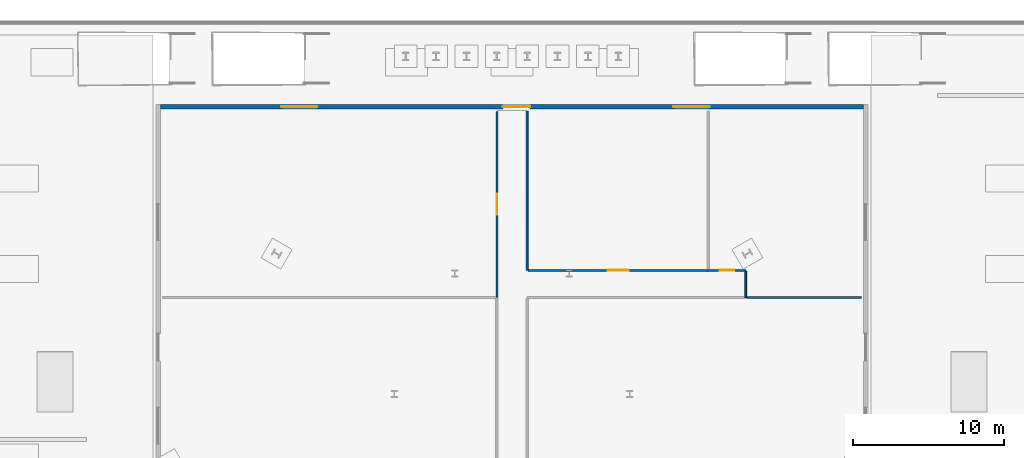
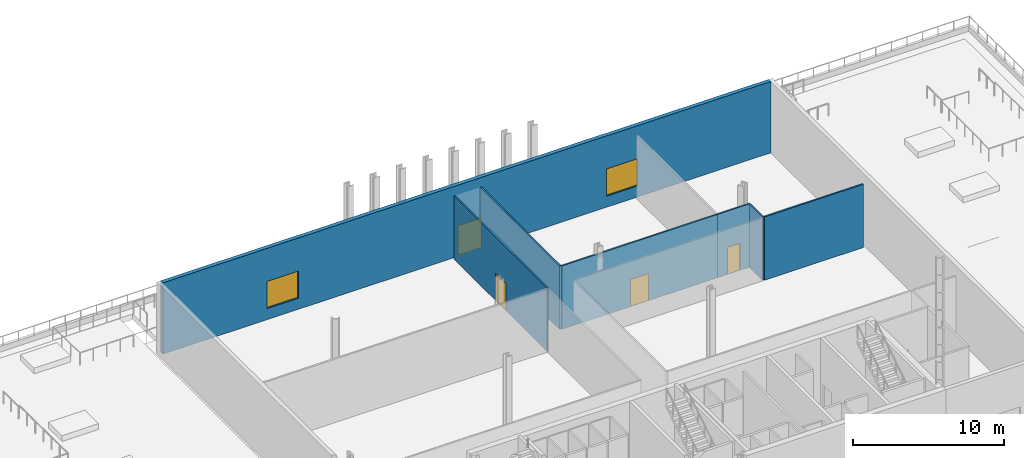
# One storey, part 6 of 13: 7 walls, 4 doors, 2 windows, 6 openings.
"""IFC4 building model written with IfcOpenShell, lengths in metres."""

import ifcopenshell
import ifcopenshell.guid

model = None  # the IFC model being written
_history = None  # IfcOwnerHistory: only IFC2X3 demands one
_inside = {}  # id of a spatial element -> (the spatial element, [elements in it])
_under = {}  # id of a project, library or spatial element -> (it, [spatial elements below it])
_declared = {}  # id of a project -> (the project, [libraries it declares])
_typed = {}  # id of a type object -> (the type object, [elements of that type])
_made_of = {}  # id of a material, layer set ... -> (it, [elements and type objects made of it])


def new_model(schema):
    """Start an empty IFC model of exactly this schema.

    Asked for "IFC4X3", IfcOpenShell would pick the latest addendum, in which some entities
    have other attributes; the version numbers below select the first issue.
    IFC2X3 requires an IfcOwnerHistory on every rooted entity: one is made here for all.
    """
    global model, _history
    if schema == "IFC4X3":
        model = ifcopenshell.file(schema_version=(4, 3, 0, 0))
    else:
        model = ifcopenshell.file(schema=schema)
    _inside.clear()
    _under.clear()
    _declared.clear()
    _typed.clear()
    _made_of.clear()
    _history = None
    if model.schema == "IFC2X3":
        org = make("IfcOrganization", Name="unknown")
        user = make(
            "IfcPersonAndOrganization",
            ThePerson=make("IfcPerson", FamilyName="unknown"),
            TheOrganization=org,
        )
        app = make(
            "IfcApplication",
            ApplicationDeveloper=org,
            Version="unknown",
            ApplicationFullName="unknown",
            ApplicationIdentifier="unknown",
        )
        _history = make(
            "IfcOwnerHistory",
            OwningUser=user,
            OwningApplication=app,
            ChangeAction="ADDED",
            CreationDate=0,
        )
    return model


def make(cls, **values):
    """One entity of the class cls with the attributes given. An attribute that is None is left unset."""
    return model.create_entity(
        cls, **{name: value for name, value in values.items() if value is not None}
    )


def rooted(cls, **values):
    """An entity with a GlobalId (a new one), such as an element, a storey or a relation."""
    return make(cls, GlobalId=ifcopenshell.guid.new(), OwnerHistory=_history, **values)


def si_unit(unit_type, name, prefix=None):
    """IfcSIUnit, for example si_unit("LENGTHUNIT", "METRE", prefix="MILLI")."""
    return make("IfcSIUnit", UnitType=unit_type, Prefix=prefix, Name=name)


def assignment(units):
    """IfcUnitAssignment: the units of a project."""
    return None if units is None else make("IfcUnitAssignment", Units=units)


def point(xyz):
    """IfcCartesianPoint."""
    return None if xyz is None else make("IfcCartesianPoint", Coordinates=xyz)


def direction(xyz):
    """IfcDirection."""
    return None if xyz is None else make("IfcDirection", DirectionRatios=xyz)


def frame(location, z_axis=None, x_axis=None):
    """IfcAxis2Placement3D, a coordinate frame: its origin and axes. An axis left out is left unset."""
    return make(
        "IfcAxis2Placement3D",
        Location=point(location),
        Axis=direction(z_axis),
        RefDirection=direction(x_axis),
    )


def frame_2d(location, x_axis=None):
    """IfcAxis2Placement2D, a coordinate frame in the plane: its origin and x axis."""
    return make(
        "IfcAxis2Placement2D", Location=point(location), RefDirection=direction(x_axis)
    )


def origin():
    """The frame at (0, 0, 0) with its axes left unset."""
    return frame((0.0, 0.0, 0.0))


def place(relative_to, where):
    """IfcLocalPlacement: puts the frame where relative to a parent placement (None: the world)."""
    return make(
        "IfcLocalPlacement", PlacementRelTo=relative_to, RelativePlacement=where
    )


def context(
    kind, dimensions, precision=None, world=None, true_north=None, identifier=None
):
    """IfcGeometricRepresentationContext, for example the 3D "Model" context."""
    return make(
        "IfcGeometricRepresentationContext",
        ContextIdentifier=identifier,
        ContextType=kind,
        CoordinateSpaceDimension=dimensions,
        Precision=precision,
        WorldCoordinateSystem=world,
        TrueNorth=true_north,
    )


def subcontext(parent, identifier, kind, view, scale=None):
    """IfcGeometricRepresentationSubContext, for example "Body" below "Model"."""
    return make(
        "IfcGeometricRepresentationSubContext",
        ContextIdentifier=identifier,
        ContextType=kind,
        ParentContext=parent,
        TargetScale=scale,
        TargetView=view,
    )


def project(units=None, contexts=None):
    """IfcProject with its units and contexts."""
    return rooted(
        "IfcProject",
        Name="project",
        RepresentationContexts=contexts,
        UnitsInContext=assignment(units),
    )


def spatial(cls, under=None, at=None, **own):
    """A site, building, storey or space (cls), placed at a placement, below another one or the project."""
    s = rooted(cls, ObjectPlacement=at, **own)
    if under is not None:
        _under.setdefault(under.id(), (under, []))[1].append(s)
    return s


def profile(cls, at=None, kind="AREA", **sizes):
    """A parametric profile (cls). Its sizes go by their IFC names, for example OverallWidth=200.0."""
    return make(cls, ProfileType=kind, Position=at, **sizes)


def rectangle(**sizes):
    """IfcRectangleProfileDef."""
    return profile("IfcRectangleProfileDef", **sizes)


def extrude(swept, where, along, depth):
    """IfcExtrudedAreaSolid: the profile swept, set in the frame where, extruded along a direction by depth."""
    return make(
        "IfcExtrudedAreaSolid",
        SweptArea=swept,
        Position=where,
        ExtrudedDirection=direction(along),
        Depth=depth,
    )


def shape(context_of_items, identifier, shape_type, items):
    """IfcShapeRepresentation: the items that make up one representation, for example the "Body"."""
    return make(
        "IfcShapeRepresentation",
        ContextOfItems=context_of_items,
        RepresentationIdentifier=identifier,
        RepresentationType=shape_type,
        Items=items,
    )


def material(Name=None, Category=None):
    """IfcMaterial."""
    return make("IfcMaterial", Name=Name, Category=Category)


def layer(
    of_material, thickness, ventilated=None, Name=None, Category=None, Priority=None
):
    """IfcMaterialLayer: one layer of a wall or slab, of a material (None: an air gap)."""
    return make(
        "IfcMaterialLayer",
        Material=of_material,
        LayerThickness=thickness,
        IsVentilated=ventilated,
        Name=Name,
        Category=Category,
        Priority=Priority,
    )


def layer_set(layers, Name=None):
    """IfcMaterialLayerSet."""
    return make("IfcMaterialLayerSet", MaterialLayers=layers, LayerSetName=Name)


def made_of(thing, what):
    """Note that an element or type object is made of a material, layer set ...; save() writes the relation."""
    if what is not None:
        _made_of.setdefault(what.id(), (what, []))[1].append(thing)
    return thing


def type_object(cls, material=None, **own):
    """A type object (cls), such as IfcWallType, which elements share."""
    return made_of(rooted(cls, **own), material)


def element(
    cls,
    number,
    at=None,
    inside=None,
    cuts=None,
    type_object=None,
    material=None,
    context=None,
    identifier="Body",
    shape_type=None,
    held_by="IfcProductDefinitionShape",
    body=None,
    shapes=None,
    **own,
):
    """One element of the class cls, such as IfcWall. Its Tag is "e" and its number.

    at: its placement. inside: the storey or other place that contains it. cuts: it is an
    opening in that element (IfcRelVoidsElement). A single representation is given by context,
    identifier, shape_type and body (its items); several are given by shapes. held_by: the class
    of the entity that holds the representations. save() writes the other relations.
    """
    e = rooted(cls, Tag="e%d" % number, ObjectPlacement=at, **own)
    if body is not None:
        shapes = [shape(context, identifier, shape_type, body)]
    if shapes is not None:
        e.Representation = make(held_by, Representations=shapes)
    if inside is not None:
        _inside.setdefault(inside.id(), (inside, []))[1].append(e)
    if cuts is not None:
        rooted(
            "IfcRelVoidsElement", RelatingBuildingElement=cuts, RelatedOpeningElement=e
        )
    if type_object is not None:
        _typed.setdefault(type_object.id(), (type_object, []))[1].append(e)
    return made_of(e, material)


def fill(opening, filler):
    """IfcRelFillsElement: the door or window that sits in an opening."""
    return rooted(
        "IfcRelFillsElement",
        RelatingOpeningElement=opening,
        RelatedBuildingElement=filler,
    )


def aggregate(whole, parts):
    """IfcRelAggregates: a whole, such as a stair, and the parts it consists of."""
    return rooted("IfcRelAggregates", RelatingObject=whole, RelatedObjects=parts)


def save(model, path):
    """Write the relations noted so far, then the file.

    IfcRelAggregates (storeys below a building ...), IfcRelContainedInSpatialStructure (elements
    in a storey), IfcRelDefinesByType, IfcRelAssociatesMaterial and IfcRelDeclares: one each for
    every whole, place, type object, material and project.
    """
    for whole, parts in _under.values():
        aggregate(whole, parts)
    for where, things in _inside.values():
        rooted(
            "IfcRelContainedInSpatialStructure",
            RelatedElements=things,
            RelatingStructure=where,
        )
    for kind, things in _typed.values():
        rooted("IfcRelDefinesByType", RelatedObjects=things, RelatingType=kind)
    for what, things in _made_of.values():
        rooted("IfcRelAssociatesMaterial", RelatedObjects=things, RelatingMaterial=what)
    for by, libraries in _declared.values():
        rooted("IfcRelDeclares", RelatingContext=by, RelatedDefinitions=libraries)
    model.write(path)


model = new_model("IFC4")

# Units and contexts
model_context = context("Model", 3, precision=1e-05, world=origin(), true_north=direction((0.0, 1.0)))
body_context = subcontext(model_context, "Body", "Model", "MODEL_VIEW")
ifc_project = project(units=[si_unit("LENGTHUNIT", "METRE"), si_unit("AREAUNIT", "SQUARE_METRE"), si_unit("VOLUMEUNIT", "CUBIC_METRE"), si_unit("PLANEANGLEUNIT", "RADIAN"), si_unit("MASSUNIT", "GRAM", prefix="KILO")], contexts=[model_context])

# Site, building, storey
site_placement = place(None, origin())
site = spatial("IfcSite", under=ifc_project, at=site_placement, CompositionType="ELEMENT")
building_placement = place(site_placement, origin())
building = spatial("IfcBuilding", under=site, at=building_placement, Name="Ndaravel Arena Tower", CompositionType="ELEMENT")
storey_placement = place(building_placement, frame((0.0, 0.0, 30.0)))
storey = spatial("IfcBuildingStorey", under=building, at=storey_placement, Name="L05", CompositionType="ELEMENT", Elevation=30.0)

# Wall, opening, door
ifc_material_1 = material(Name="Gypsum", Category="gypsum")
ifc_layer_1 = layer(ifc_material_1, 0.125)
ifc_layer_set_1 = layer_set([ifc_layer_1], Name="Gypsum")
wall_type_1 = type_object("IfcWallType", Name="WALL-PART-125", PredefinedType="PARTITIONING", material=ifc_layer_set_1)
wall_1_placement = place(storey_placement, frame((41.0, 29.60009765625, 0.0), z_axis=(0.0, 0.0, 1.0), x_axis=(0.0, 1.0, 0.0)))
wall_1 = element("IfcWall", 1, at=wall_1_placement, inside=storey, type_object=wall_type_1, Name="L05 Interior Partition 008", PredefinedType="PARTITIONING", context=body_context, shape_type="SweptSolid", body=[
    extrude(rectangle(XDim=12.349853515625, YDim=0.125, at=frame_2d((6.1748046875, 0.0))), origin(), (0.0, 0.0, 1.0), 5.1328125),
])
opening_1_placement = place(wall_1_placement, frame((5.47509765625, 0.0, 0.0)))
opening_1 = element("IfcOpeningElement", 2, at=opening_1_placement, cuts=wall_1, Name="Opening ID-02", PredefinedType="OPENING", context=body_context, shape_type="SweptSolid", body=[
    extrude(rectangle(XDim=1.39990234375, YDim=2.199951171875, at=frame_2d((0.699951171875, 1.10009765625))), frame((0.0, 0.0625, 0.0), z_axis=(0.0, -1.0, 0.0), x_axis=(1.0, 0.0, 0.0)), (0.0, 0.0, 1.0), 0.125),
])
ifc_material_2 = material(Name="Timber", Category="wood")
door_type_1 = type_object("IfcDoorType", Name="DT-04-SUITE-1400", OperationType="DOUBLE_DOOR_SINGLE_SWING", PredefinedType="DOOR", material=ifc_material_2)
door_1_placement = place(opening_1_placement, origin())
door_1 = element("IfcDoor", 3, at=door_1_placement, inside=storey, type_object=door_type_1, Name="L05 Members Reading & Quiet Garden Lounge Door", OperationType="SINGLE_SWING_LEFT", OverallHeight=2.199951171875, OverallWidth=1.39990234375, PredefinedType="DOOR", context=body_context, shape_type="SweptSolid", body=[
    extrude(rectangle(XDim=1.39990234375, YDim=2.199951171875, at=frame_2d((0.699951171875, 1.10009765625))), frame((0.0, 0.02490234375, 0.0), z_axis=(0.0, -1.0, 0.0), x_axis=(1.0, 0.0, 0.0)), (0.0, 0.0, 1.0), 0.050048828125),
])
fill(opening_1, door_1)

# Wall
wall_2_placement = place(storey_placement, frame((43.0, 41.949951171875, 0.0), z_axis=(0.0, 0.0, 1.0), x_axis=(0.0, -1.0, 0.0)))
element("IfcWall", 4, at=wall_2_placement, inside=storey, type_object=wall_type_1, Name="L05 Interior Partition 009", PredefinedType="PARTITIONING", context=body_context, shape_type="SweptSolid", body=[
    extrude(rectangle(XDim=10.550048828125, YDim=0.125, at=frame_2d((5.27490234375, 0.0))), origin(), (0.0, 0.0, 1.0), 5.1328125),
])

# Wall, opening, door
wall_3_placement = place(storey_placement, frame((43.06494140625, 31.39990234375, 0.0), z_axis=(0.0, 0.0, 1.0), x_axis=(1.0, 0.0, 0.0)))
wall_3 = element("IfcWall", 5, at=wall_3_placement, inside=storey, type_object=wall_type_1, Name="L05 Interior Partition 010", PredefinedType="PARTITIONING", context=body_context, shape_type="SweptSolid", body=[
    extrude(rectangle(XDim=11.93505859375, YDim=0.125, at=frame_2d((5.967529296875, 0.0))), origin(), (0.0, 0.0, 1.0), 5.1328125),
])
opening_2_placement = place(wall_3_placement, frame((5.267578125, 0.0, 0.0)))
opening_2 = element("IfcOpeningElement", 6, at=opening_2_placement, cuts=wall_3, Name="Opening ID-02", PredefinedType="OPENING", context=body_context, shape_type="SweptSolid", body=[
    extrude(rectangle(XDim=1.39990234375, YDim=2.199951171875, at=frame_2d((0.699951171875, 1.10009765625))), frame((0.0, 0.0625, 0.0), z_axis=(0.0, -1.0, 0.0), x_axis=(1.0, 0.0, 0.0)), (0.0, 0.0, 1.0), 0.125),
])
door_2_placement = place(opening_2_placement, origin())
door_2 = element("IfcDoor", 7, at=door_2_placement, inside=storey, type_object=door_type_1, Name="L05 Executive Garden Conference & Seminar Room Door", OperationType="SINGLE_SWING_LEFT", OverallHeight=2.199951171875, OverallWidth=1.39990234375, PredefinedType="DOOR", context=body_context, shape_type="SweptSolid", body=[
    extrude(rectangle(XDim=1.39990234375, YDim=2.199951171875, at=frame_2d((0.699951171875, 1.10009765625))), frame((0.0, 0.02490234375, 0.0), z_axis=(0.0, -1.0, 0.0), x_axis=(1.0, 0.0, 0.0)), (0.0, 0.0, 1.0), 0.050048828125),
])
fill(opening_2, door_2)

wall_4_placement = place(storey_placement, frame((55.0, 31.39990234375, 0.0), z_axis=(0.0, 0.0, 1.0), x_axis=(1.0, 0.0, 0.0)))
wall_4 = element("IfcWall", 8, at=wall_4_placement, inside=storey, type_object=wall_type_1, Name="L05 Interior Partition 011", PredefinedType="PARTITIONING", context=body_context, shape_type="SweptSolid", body=[
    extrude(rectangle(XDim=2.5, YDim=0.125, at=frame_2d((1.25, 0.0))), origin(), (0.0, 0.0, 1.0), 5.1328125),
])
opening_3_placement = place(wall_4_placement, frame((0.77490234375, 0.0, 0.0)))
opening_3 = element("IfcOpeningElement", 9, at=opening_3_placement, cuts=wall_4, Name="Opening ID-01", PredefinedType="OPENING", context=body_context, shape_type="SweptSolid", body=[
    extrude(rectangle(XDim=0.949951171875, YDim=2.199951171875, at=frame_2d((0.47509765625, 1.10009765625))), frame((0.0, 0.0625, 0.0), z_axis=(0.0, -1.0, 0.0), x_axis=(1.0, 0.0, 0.0)), (0.0, 0.0, 1.0), 0.125),
])
ifc_material_3 = material(Name="Timber", Category="wood")
door_type_2 = type_object("IfcDoorType", Name="DT-03-OFFICE-950", OperationType="SINGLE_SWING_LEFT", PredefinedType="DOOR", material=ifc_material_3)
door_3_placement = place(opening_3_placement, origin())
door_3 = element("IfcDoor", 10, at=door_3_placement, inside=storey, type_object=door_type_2, Name="L05 Sky Garden Wellness & Fitness Studio Door", OperationType="SINGLE_SWING_RIGHT", OverallHeight=2.199951171875, OverallWidth=0.949951171875, PredefinedType="DOOR", context=body_context, shape_type="SweptSolid", body=[
    extrude(rectangle(XDim=0.949951171875, YDim=2.199951171875, at=frame_2d((0.47509765625, 1.10009765625))), frame((0.0, 0.02490234375, 0.0), z_axis=(0.0, -1.0, 0.0), x_axis=(1.0, 0.0, 0.0)), (0.0, 0.0, 1.0), 0.050048828125),
])
fill(opening_3, door_3)

# Walls
wall_5_placement = place(storey_placement, frame((57.5, 31.3349609375, 0.0), z_axis=(0.0, 0.0, 1.0), x_axis=(0.0, -1.0, 0.0)))
element("IfcWall", 11, at=wall_5_placement, inside=storey, type_object=wall_type_1, Name="L05 Interior Partition 012", PredefinedType="PARTITIONING", context=body_context, shape_type="SweptSolid", body=[
    extrude(rectangle(XDim=1.73486328125, YDim=0.125, at=frame_2d((0.867431640625, 0.0))), origin(), (0.0, 0.0, 1.0), 5.1328125),
])
wall_6_placement = place(storey_placement, frame((57.56494140625, 29.60009765625, 0.0), z_axis=(0.0, 0.0, 1.0), x_axis=(1.0, 0.0, 0.0)))
element("IfcWall", 12, at=wall_6_placement, inside=storey, type_object=wall_type_1, Name="L05 Interior Partition 019", PredefinedType="PARTITIONING", context=body_context, shape_type="SweptSolid", body=[
    extrude(rectangle(XDim=7.5849609375, YDim=0.125, at=frame_2d((3.79248046875, 0.0))), origin(), (0.0, 0.0, 1.0), 5.1328125),
])

# Wall, openings, door, windows
ifc_material_4 = material(Name="Masonry", Category="masonry")
ifc_layer_2 = layer(ifc_material_4, 0.300048828125)
ifc_layer_set_2 = layer_set([ifc_layer_2], Name="Masonry")
wall_type_2 = type_object("IfcWallType", Name="WALL-POD-MAZERAS-300", PredefinedType="SOLIDWALL", material=ifc_layer_set_2)
wall_7_placement = place(storey_placement, frame((18.699951171875, 42.25, 0.0), z_axis=(0.0, 0.0, 1.0), x_axis=(1.0, 0.0, 0.0)))
wall_7 = element("IfcWall", 13, at=wall_7_placement, inside=storey, type_object=wall_type_2, Name="L05 Garden Pavilion North Wall", PredefinedType="SOLIDWALL", context=body_context, shape_type="SweptSolid", body=[
    extrude(rectangle(XDim=46.60009765625, YDim=0.300048828125, at=frame_2d((23.300048828125, 0.0))), origin(), (0.0, 0.0, 1.0), 5.780029296875),
])
opening_4_placement = place(wall_7_placement, frame((22.699951171875, 0.0, 0.0)))
opening_4 = element("IfcOpeningElement", 14, at=opening_4_placement, cuts=wall_7, Name="Opening ED-03", PredefinedType="OPENING", context=body_context, shape_type="SweptSolid", body=[
    extrude(rectangle(XDim=1.800048828125, YDim=2.39990234375, at=frame_2d((0.89990234375, 1.199951171875))), frame((0.0, 0.14990234375, 0.0), z_axis=(0.0, -1.0, 0.0), x_axis=(1.0, 0.0, 0.0)), (0.0, 0.0, 1.0), 0.300048828125),
])
opening_5_placement = place(wall_7_placement, frame((8.0, 0.0, 0.89990234375)))
opening_5 = element("IfcOpeningElement", 15, at=opening_5_placement, cuts=wall_7, Name="Opening W-PD1", PredefinedType="OPENING", context=body_context, shape_type="SweptSolid", body=[
    extrude(rectangle(XDim=2.39990234375, YDim=2.199951171875, at=frame_2d((1.199951171875, 1.10009765625))), frame((0.0, 0.14990234375, 0.0), z_axis=(0.0, -1.0, 0.0), x_axis=(1.0, 0.0, 0.0)), (0.0, 0.0, 1.0), 0.300048828125),
])
opening_6_placement = place(wall_7_placement, frame((34.0, 0.0, 0.89990234375)))
opening_6 = element("IfcOpeningElement", 16, at=opening_6_placement, cuts=wall_7, Name="Opening W-PD1", PredefinedType="OPENING", context=body_context, shape_type="SweptSolid", body=[
    extrude(rectangle(XDim=2.39990234375, YDim=2.199951171875, at=frame_2d((1.199951171875, 1.10009765625))), frame((0.0, 0.14990234375, 0.0), z_axis=(0.0, -1.0, 0.0), x_axis=(1.0, 0.0, 0.0)), (0.0, 0.0, 1.0), 0.300048828125),
])
ifc_material_5 = material(Name="Aluminium", Category="aluminium")
door_type_3 = type_object("IfcDoorType", Name="ED-TERR-1800", OperationType="DOUBLE_DOOR_SINGLE_SWING", PredefinedType="DOOR", material=ifc_material_5)
door_4_placement = place(opening_4_placement, origin())
door_4 = element("IfcDoor", 17, at=door_4_placement, inside=storey, type_object=door_type_3, Name="L05 North Garden Concourse Door", OperationType="DOUBLE_DOOR_SINGLE_SWING", OverallHeight=2.39990234375, OverallWidth=1.800048828125, PredefinedType="DOOR", context=body_context, shape_type="SweptSolid", body=[
    extrude(rectangle(XDim=1.800048828125, YDim=2.39990234375, at=frame_2d((0.89990234375, 1.199951171875))), frame((0.0, 0.02490234375, 0.0), z_axis=(0.0, -1.0, 0.0), x_axis=(1.0, 0.0, 0.0)), (0.0, 0.0, 1.0), 0.050048828125),
])
fill(opening_4, door_4)
ifc_material_6 = material(Name="Glazing", Category="glass")
window_type = type_object("IfcWindowType", Name="WIN-POD-2400", PartitioningType="SINGLE_PANEL", PredefinedType="WINDOW", material=ifc_material_6)
window_1_placement = place(opening_5_placement, origin())
window_1 = element("IfcWindow", 18, at=window_1_placement, inside=storey, type_object=window_type, Name="L05 Garden Pavilion Window 05", OverallHeight=2.199951171875, OverallWidth=2.39990234375, PartitioningType="SINGLE_PANEL", PredefinedType="WINDOW", context=body_context, shape_type="SweptSolid", body=[
    extrude(rectangle(XDim=2.39990234375, YDim=2.199951171875, at=frame_2d((1.199951171875, 1.10009765625))), frame((0.0, 0.030029296875, 0.0), z_axis=(0.0, -1.0, 0.0), x_axis=(1.0, 0.0, 0.0)), (0.0, 0.0, 1.0), 0.06005859375),
])
fill(opening_5, window_1)
window_2_placement = place(opening_6_placement, origin())
window_2 = element("IfcWindow", 19, at=window_2_placement, inside=storey, type_object=window_type, Name="L05 Garden Pavilion Window 06", OverallHeight=2.199951171875, OverallWidth=2.39990234375, PartitioningType="SINGLE_PANEL", PredefinedType="WINDOW", context=body_context, shape_type="SweptSolid", body=[
    extrude(rectangle(XDim=2.39990234375, YDim=2.199951171875, at=frame_2d((1.199951171875, 1.10009765625))), frame((0.0, 0.030029296875, 0.0), z_axis=(0.0, -1.0, 0.0), x_axis=(1.0, 0.0, 0.0)), (0.0, 0.0, 1.0), 0.06005859375),
])
fill(opening_6, window_2)

save(model, "model.ifc")
